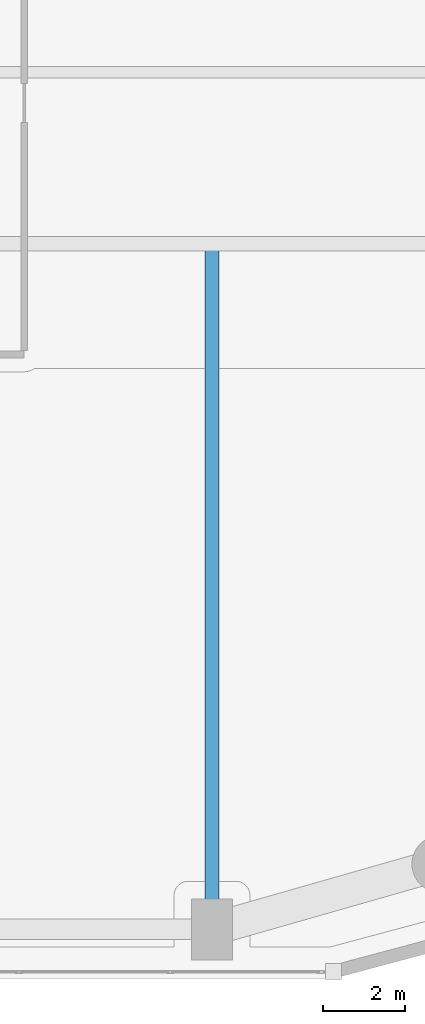
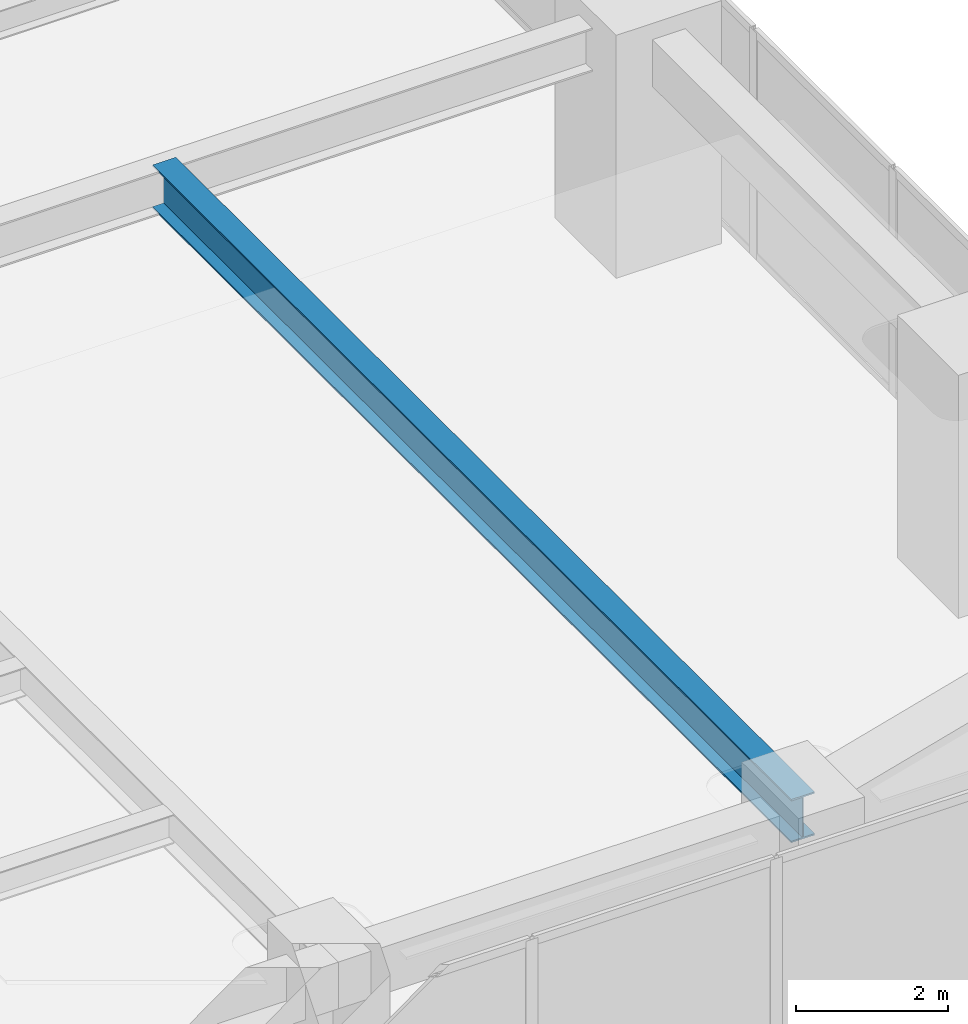
# One storey, part 8 of 26: 1 beam.
"""IFC4 building model written with IfcOpenShell, lengths in metres."""

from ifc_helpers import new_model, si_unit, direction, frame, origin, origin_2d, place, context, subcontext, project, spatial, i_section, extrude, material, material_profile, profile_set, type_object, element, save


model = new_model("IFC4")

# Units and contexts
model_context = context("Model", 3, precision=1e-05, world=origin(), true_north=direction((0.0, 1.0)))
body_context = subcontext(model_context, "Body", "Model", "MODEL_VIEW")
ifc_project = project(units=[si_unit("LENGTHUNIT", "METRE"), si_unit("AREAUNIT", "SQUARE_METRE"), si_unit("VOLUMEUNIT", "CUBIC_METRE"), si_unit("PLANEANGLEUNIT", "RADIAN"), si_unit("MASSUNIT", "GRAM", prefix="KILO")], contexts=[model_context])

# Site, building, storey
site_placement = place(None, origin())
site = spatial("IfcSite", under=ifc_project, at=site_placement, CompositionType="ELEMENT")
building_placement = place(site_placement, origin())
building = spatial("IfcBuilding", under=site, at=building_placement, Name="Kiyonajd Concourse Tower", CompositionType="ELEMENT")
storey_placement = place(building_placement, frame((0.0, 0.0, 72.89990234375)))
storey = spatial("IfcBuildingStorey", under=building, at=storey_placement, Name="L19", CompositionType="ELEMENT", Elevation=72.89990234375)

# Beam
ifc_material = material(Name="Steel ASTM A992 Grade 50", Category="steel")
ifc_material_profile = material_profile(ifc_material, i_section(OverallWidth=0.35498046875, OverallDepth=0.695068359375, WebThickness=0.015380859375, FlangeThickness=0.02490234375, at=origin_2d()), Name="W690X217")
ifc_profile_set = profile_set([ifc_material_profile], Name="Steel ASTM A992 Grade 50")
beam_type = type_object("IfcBeamType", Name="BM-TWR-690", PredefinedType="BEAM", material=ifc_profile_set)
beam_placement = place(storey_placement, frame((70.800048828125, 10.800048828125, 3.29248046875), z_axis=(0.0, 1.0, 0.0), x_axis=(-1.0, 0.0, 0.0)))
element("IfcBeam", 1, at=beam_placement, inside=storey, type_object=beam_type, Name="L19 South Lease Girder", PredefinedType="BEAM", context=body_context, shape_type="SweptSolid", body=[
    extrude(i_section(OverallWidth=0.35498046875, OverallDepth=0.695068359375, WebThickness=0.015380859375, FlangeThickness=0.02490234375, at=origin_2d()), origin(), (0.0, 0.0, 1.0), 16.800048828125),
])

save(model, "model.ifc")
